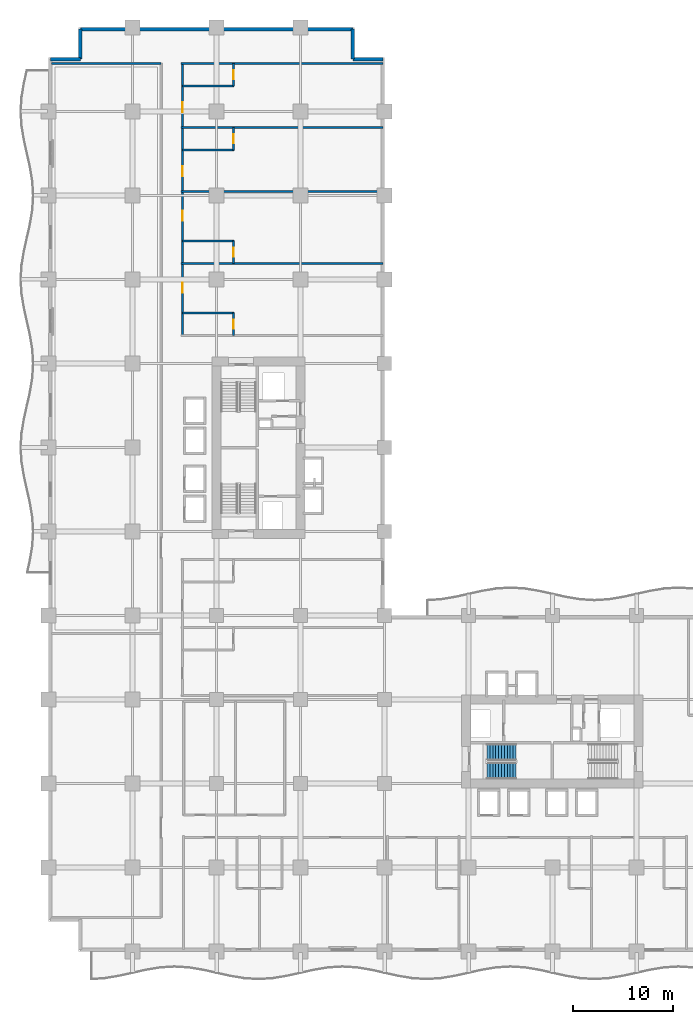
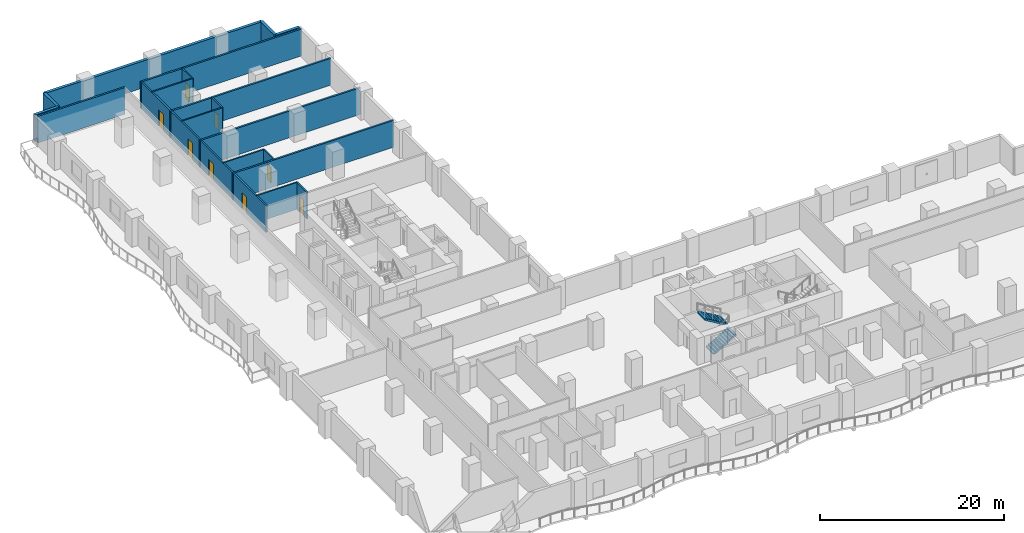
# One storey, part 18 of 27: 19 walls, 8 doors, 2 stair flights, 8 openings, 1 element without a shape of its own.
"""IFC4 building model written with IfcOpenShell, lengths in metres."""

from ifc_helpers import new_model, si_unit, direction, frame, frame_2d, origin, place, context, subcontext, project, spatial, polyline, rectangle, outline, extrude, material, layer, layer_set, type_object, element, fill, aggregate, save


model = new_model("IFC4")

# Units and contexts
model_context = context("Model", 3, precision=1e-05, world=origin(), true_north=direction((0.0, 1.0)))
body_context = subcontext(model_context, "Body", "Model", "MODEL_VIEW")
ifc_project = project(units=[si_unit("LENGTHUNIT", "METRE"), si_unit("AREAUNIT", "SQUARE_METRE"), si_unit("VOLUMEUNIT", "CUBIC_METRE"), si_unit("PLANEANGLEUNIT", "RADIAN"), si_unit("MASSUNIT", "GRAM", prefix="KILO")], contexts=[model_context])

# Site, building, storey
site_placement = place(None, origin())
site = spatial("IfcSite", under=ifc_project, at=site_placement, CompositionType="ELEMENT")
building_placement = place(site_placement, origin())
building = spatial("IfcBuilding", under=site, at=building_placement, Name="Koriwani Terraces Tower", CompositionType="ELEMENT")
storey_placement = place(building_placement, frame((0.0, 0.0, 54.800048828125)))
storey = spatial("IfcBuildingStorey", under=building, at=storey_placement, Name="L12", CompositionType="ELEMENT", Elevation=54.800048828125)

# Wall, openings, doors
ifc_material_1 = material(Name="Autoclaved Cellular Concrete Blockwork", Category="masonry")
ifc_layer_1 = layer(ifc_material_1, 0.199951171875, Name="Autoclaved Cellular Concrete Blockwork")
ifc_layer_set_1 = layer_set([ifc_layer_1], Name="Autoclaved Cellular Concrete Blockwork")
wall_type_1 = type_object("IfcWallType", Name="WALL_CORRIDOR_200", PredefinedType="PARTITIONING", material=ifc_layer_set_1)
wall_1_placement = place(storey_placement, frame((13.39990234375, 61.60009765625, 0.0), z_axis=(0.0, 0.0, 1.0), x_axis=(0.0, 1.0, 0.0)))
wall_1 = element("IfcWall", 1, at=wall_1_placement, inside=storey, type_object=wall_type_1, Name="L12 Interior Wall WCOR-L12-NE-0", PredefinedType="PARTITIONING", context=body_context, shape_type="SweptSolid", body=[
    extrude(rectangle(XDim=27.199951171875, YDim=0.199951171875, at=frame_2d((13.60009765625, 0.0))), origin(), (0.0, 0.0, 1.0), 3.550048828125),
])
opening_1_placement = place(wall_1_placement, frame((4.264892578125, 0.0, 0.0)))
opening_1 = element("IfcOpeningElement", 2, at=opening_1_placement, cuts=wall_1, Name="Opening D-05", PredefinedType="OPENING", context=body_context, shape_type="SweptSolid", body=[
    extrude(rectangle(XDim=1.0, YDim=2.14990234375, at=frame_2d((0.5, 1.074951171875))), frame((0.0, 0.10986328125, 0.0), z_axis=(0.0, -1.0, 0.0), x_axis=(1.0, 0.0, 0.0)), (0.0, 0.0, 1.0), 0.219970703125),
])
opening_2_placement = place(wall_1_placement, frame((11.465087890625, 0.0, 0.0)))
opening_2 = element("IfcOpeningElement", 3, at=opening_2_placement, cuts=wall_1, Name="Opening D-05", PredefinedType="OPENING", context=body_context, shape_type="SweptSolid", body=[
    extrude(rectangle(XDim=1.0, YDim=2.14990234375, at=frame_2d((0.5, 1.074951171875))), frame((0.0, 0.10986328125, 0.0), z_axis=(0.0, -1.0, 0.0), x_axis=(1.0, 0.0, 0.0)), (0.0, 0.0, 1.0), 0.219970703125),
])
opening_3_placement = place(wall_1_placement, frame((15.93505859375, 0.0, 0.0)))
opening_3 = element("IfcOpeningElement", 4, at=opening_3_placement, cuts=wall_1, Name="Opening D-05", PredefinedType="OPENING", context=body_context, shape_type="SweptSolid", body=[
    extrude(rectangle(XDim=1.0, YDim=2.14990234375, at=frame_2d((0.5, 1.074951171875))), frame((0.0, 0.10986328125, 0.0), z_axis=(0.0, -1.0, 0.0), x_axis=(1.0, 0.0, 0.0)), (0.0, 0.0, 1.0), 0.219970703125),
])
opening_4_placement = place(wall_1_placement, frame((22.3349609375, 0.0, 0.0)))
opening_4 = element("IfcOpeningElement", 5, at=opening_4_placement, cuts=wall_1, Name="Opening D-05", PredefinedType="OPENING", context=body_context, shape_type="SweptSolid", body=[
    extrude(rectangle(XDim=1.0, YDim=2.14990234375, at=frame_2d((0.5, 1.074951171875))), frame((0.0, 0.10986328125, 0.0), z_axis=(0.0, -1.0, 0.0), x_axis=(1.0, 0.0, 0.0)), (0.0, 0.0, 1.0), 0.219970703125),
])
ifc_material_2 = material(Name="Architectural Oak Fire Door", Category="wood")
door_type_1 = type_object("IfcDoorType", Name="DOOR_SUITE_ENTRY_1000X2150", OperationType="NOTDEFINED", PredefinedType="DOOR", material=ifc_material_2)
door_1_placement = place(opening_1_placement, origin())
door_1 = element("IfcDoor", 6, at=door_1_placement, inside=storey, type_object=door_type_1, Name="Luxury Hotel Suite 12NE1 Entrance Door", OperationType="SINGLE_SWING_RIGHT", OverallHeight=2.14990234375, OverallWidth=1.0, PredefinedType="DOOR", context=body_context, shape_type="SweptSolid", body=[
    extrude(rectangle(XDim=1.0, YDim=2.14990234375, at=frame_2d((0.5, 1.074951171875))), frame((0.0, 0.02490234375, 0.0), z_axis=(0.0, -1.0, 0.0), x_axis=(1.0, 0.0, 0.0)), (0.0, 0.0, 1.0), 0.050048828125),
])
fill(opening_1, door_1)
door_2_placement = place(opening_2_placement, origin())
door_2 = element("IfcDoor", 7, at=door_2_placement, inside=storey, type_object=door_type_1, Name="Luxury Hotel Suite 12NE2 Entrance Door", OperationType="SINGLE_SWING_RIGHT", OverallHeight=2.14990234375, OverallWidth=1.0, PredefinedType="DOOR", context=body_context, shape_type="SweptSolid", body=[
    extrude(rectangle(XDim=1.0, YDim=2.14990234375, at=frame_2d((0.5, 1.074951171875))), frame((0.0, 0.02490234375, 0.0), z_axis=(0.0, -1.0, 0.0), x_axis=(1.0, 0.0, 0.0)), (0.0, 0.0, 1.0), 0.050048828125),
])
fill(opening_2, door_2)
door_3_placement = place(opening_3_placement, origin())
door_3 = element("IfcDoor", 8, at=door_3_placement, inside=storey, type_object=door_type_1, Name="Luxury Hotel Suite 12NE3 Entrance Door", OperationType="SINGLE_SWING_RIGHT", OverallHeight=2.14990234375, OverallWidth=1.0, PredefinedType="DOOR", context=body_context, shape_type="SweptSolid", body=[
    extrude(rectangle(XDim=1.0, YDim=2.14990234375, at=frame_2d((0.5, 1.074951171875))), frame((0.0, 0.02490234375, 0.0), z_axis=(0.0, -1.0, 0.0), x_axis=(1.0, 0.0, 0.0)), (0.0, 0.0, 1.0), 0.050048828125),
])
fill(opening_3, door_3)
door_4_placement = place(opening_4_placement, origin())
door_4 = element("IfcDoor", 9, at=door_4_placement, inside=storey, type_object=door_type_1, Name="Luxury Hotel Suite 12NE4 Entrance Door", OperationType="SINGLE_SWING_RIGHT", OverallHeight=2.14990234375, OverallWidth=1.0, PredefinedType="DOOR", context=body_context, shape_type="SweptSolid", body=[
    extrude(rectangle(XDim=1.0, YDim=2.14990234375, at=frame_2d((0.5, 1.074951171875))), frame((0.0, 0.02490234375, 0.0), z_axis=(0.0, -1.0, 0.0), x_axis=(1.0, 0.0, 0.0)), (0.0, 0.0, 1.0), 0.050048828125),
])
fill(opening_4, door_4)

# Walls
ifc_layer_2 = layer(ifc_material_1, 0.219970703125, Name="Autoclaved Cellular Concrete Blockwork")
ifc_layer_set_2 = layer_set([ifc_layer_2], Name="Autoclaved Cellular Concrete Blockwork")
wall_type_2 = type_object("IfcWallType", Name="WALL_DEMISING_220", PredefinedType="PARTITIONING", material=ifc_layer_set_2)
wall_2_placement = place(storey_placement, frame((0.300048828125, 88.800048828125, 0.0), z_axis=(0.0, 0.0, 1.0), x_axis=(1.0, 0.0, 0.0)))
element("IfcWall", 10, at=wall_2_placement, inside=storey, type_object=wall_type_2, Name="L12 Interior Wall WZ1NWCLN-L12", PredefinedType="PARTITIONING", context=body_context, shape_type="SweptSolid", body=[
    extrude(rectangle(XDim=10.949951171875, YDim=0.219970703125, at=frame_2d((5.47509765625, 0.0))), origin(), (0.0, 0.0, 1.0), 3.550048828125),
])
for number, where, z_axis, x_axis, name in (
    (11, (13.25, 68.800048828125, 0.0), (0.0, 0.0, 1.0), (1.0, 0.0, 0.0), "L12 Interior Wall WDEM-L12-NE-1"),
    (12, (13.25, 76.0, 0.0), (0.0, 0.0, 1.0), (1.0, 0.0, 0.0), "L12 Interior Wall WDEM-L12-NE-2"),
    (13, (13.25, 82.39990234375, 0.0), (0.0, 0.0, 1.0), (1.0, 0.0, 0.0), "L12 Interior Wall WDEM-L12-NE-3"),
    (14, (13.25, 88.800048828125, 0.0), (0.0, 0.0, 1.0), (1.0, 0.0, 0.0), "L12 Interior Wall WDEME-L12-NE"),
):
    element("IfcWall", number, at=place(storey_placement, frame(where, z_axis=z_axis, x_axis=x_axis)), inside=storey, type_object=wall_type_2, Name=name, PredefinedType="PARTITIONING", context=body_context, shape_type="SweptSolid", body=[
        extrude(rectangle(XDim=20.179931640625, YDim=0.219970703125, at=frame_2d((10.08984375, 0.0))), origin(), (0.0, 0.0, 1.0), 3.550048828125),
    ])
ifc_material_3 = material(Name="Concrete C50/60", Category="concrete")
ifc_layer_3 = layer(ifc_material_3, 0.35009765625, Name="Concrete C50/60")
ifc_layer_set_3 = layer_set([ifc_layer_3], Name="Concrete C50/60")
wall_type_3 = type_object("IfcWallType", Name="WALL_EXT_BRUTALIST_350", PredefinedType="STANDARD", material=ifc_layer_set_3)
for number, where, z_axis, x_axis, name in (
    (15, (0.175048828125, 89.22509765625, 0.0), (0.0, 0.0, 1.0), (1.0, 0.0, 0.0), "L12 Fair-Faced Brutalist Exterior Wall (N3)"),
    (16, (3.175048828125, 89.22509765625, 0.0), (0.0, 0.0, 1.0), (0.0, 1.0, 0.0), "L12 Fair-Faced Brutalist Exterior Wall (N4)"),
):
    element("IfcWall", number, at=place(storey_placement, frame(where, z_axis=z_axis, x_axis=x_axis)), inside=storey, type_object=wall_type_3, Name=name, PredefinedType="STANDARD", context=body_context, shape_type="SweptSolid", body=[
        extrude(rectangle(XDim=3.0, YDim=0.35009765625, at=frame_2d((1.5, 0.0))), origin(), (0.0, 0.0, 1.0), 3.550048828125),
    ])
wall_3_placement = place(storey_placement, frame((3.175048828125, 92.22509765625, 0.0), z_axis=(0.0, 0.0, 1.0), x_axis=(1.0, 0.0, 0.0)))
element("IfcWall", 17, at=wall_3_placement, inside=storey, type_object=wall_type_3, Name="L12 Fair-Faced Brutalist Exterior Wall (N_TIP)", PredefinedType="STANDARD", context=body_context, shape_type="SweptSolid", body=[
    extrude(rectangle(XDim=27.25, YDim=0.35009765625, at=frame_2d((13.625, 0.0))), origin(), (0.0, 0.0, 1.0), 3.550048828125),
])
for number, where, z_axis, x_axis, name in (
    (18, (30.425048828125, 92.22509765625, 0.0), (0.0, 0.0, 1.0), (0.0, -1.0, 0.0), "L12 Fair-Faced Brutalist Exterior Wall (N6)"),
    (19, (30.425048828125, 89.22509765625, 0.0), (0.0, 0.0, 1.0), (1.0, 0.0, 0.0), "L12 Fair-Faced Brutalist Exterior Wall (N7)"),
):
    element("IfcWall", number, at=place(storey_placement, frame(where, z_axis=z_axis, x_axis=x_axis)), inside=storey, type_object=wall_type_3, Name=name, PredefinedType="STANDARD", context=body_context, shape_type="SweptSolid", body=[
        extrude(rectangle(XDim=3.0, YDim=0.35009765625, at=frame_2d((1.5, 0.0))), origin(), (0.0, 0.0, 1.0), 3.550048828125),
    ])

# Wall, opening, door
ifc_material_4 = material(Name="Fire-Rated Acoustic Gypsum Partition", Category="masonry")
ifc_layer_4 = layer(ifc_material_4, 0.179931640625, Name="Fire-Rated Acoustic Gypsum Partition")
ifc_layer_set_4 = layer_set([ifc_layer_4], Name="Fire-Rated Acoustic Gypsum Partition")
wall_type_4 = type_object("IfcWallType", Name="WALL_PLUMBING_180", PredefinedType="PLUMBINGWALL", material=ifc_layer_set_4)
wall_4_placement = place(storey_placement, frame((18.5, 61.60009765625, 0.0), z_axis=(0.0, 0.0, 1.0), x_axis=(0.0, 1.0, 0.0)))
wall_4 = element("IfcWall", 20, at=wall_4_placement, inside=storey, type_object=wall_type_4, Name="L12 Interior Wall WBTH1-L12-NE-0", PredefinedType="PLUMBINGWALL", context=body_context, shape_type="SweptSolid", body=[
    extrude(rectangle(XDim=2.25, YDim=0.179931640625, at=frame_2d((1.125, 0.0))), origin(), (0.0, 0.0, 1.0), 3.550048828125),
])
opening_5_placement = place(wall_4_placement, frame((0.675048828125, 0.0, 0.0)))
opening_5 = element("IfcOpeningElement", 21, at=opening_5_placement, cuts=wall_4, Name="Opening D-07", PredefinedType="OPENING", context=body_context, shape_type="SweptSolid", body=[
    extrude(rectangle(XDim=0.89990234375, YDim=2.10009765625, at=frame_2d((0.449951171875, 1.050048828125))), frame((0.0, 0.10009765625, 0.0), z_axis=(0.0, -1.0, 0.0), x_axis=(1.0, 0.0, 0.0)), (0.0, 0.0, 1.0), 0.199951171875),
])
door_type_2 = type_object("IfcDoorType", Name="DOOR_BATH_INT_900X2100", OperationType="NOTDEFINED", PredefinedType="DOOR", material=ifc_material_2)
door_5_placement = place(opening_5_placement, origin())
door_5 = element("IfcDoor", 22, at=door_5_placement, inside=storey, type_object=door_type_2, Name="En-Suite Bathroom 12NE1 Door", OperationType="SINGLE_SWING_LEFT", OverallHeight=2.10009765625, OverallWidth=0.89990234375, PredefinedType="DOOR", context=body_context, shape_type="SweptSolid", body=[
    extrude(rectangle(XDim=0.89990234375, YDim=2.10009765625, at=frame_2d((0.449951171875, 1.050048828125))), frame((0.0, 0.02490234375, 0.0), z_axis=(0.0, -1.0, 0.0), x_axis=(1.0, 0.0, 0.0)), (0.0, 0.0, 1.0), 0.050048828125),
])
fill(opening_5, door_5)

# Wall
wall_5_placement = place(storey_placement, frame((13.39990234375, 63.85009765625, 0.0), z_axis=(0.0, 0.0, 1.0), x_axis=(1.0, 0.0, 0.0)))
element("IfcWall", 23, at=wall_5_placement, inside=storey, type_object=wall_type_4, Name="L12 Interior Wall WBTH2-L12-NE-0", PredefinedType="PLUMBINGWALL", context=body_context, shape_type="SweptSolid", body=[
    extrude(rectangle(XDim=5.10009765625, YDim=0.179931640625, at=frame_2d((2.550048828125, 0.0))), origin(), (0.0, 0.0, 1.0), 3.550048828125),
])

# Wall, opening, door
wall_6_placement = place(storey_placement, frame((18.5, 68.800048828125, 0.0), z_axis=(0.0, 0.0, 1.0), x_axis=(0.0, 1.0, 0.0)))
wall_6 = element("IfcWall", 24, at=wall_6_placement, inside=storey, type_object=wall_type_4, Name="L12 Interior Wall WBTH1-L12-NE-1", PredefinedType="PLUMBINGWALL", context=body_context, shape_type="SweptSolid", body=[
    extrude(rectangle(XDim=2.25, YDim=0.179931640625, at=frame_2d((1.125, 0.0))), origin(), (0.0, 0.0, 1.0), 3.550048828125),
])
opening_6_placement = place(wall_6_placement, frame((0.675048828125, 0.0, 0.0)))
opening_6 = element("IfcOpeningElement", 25, at=opening_6_placement, cuts=wall_6, Name="Opening D-07", PredefinedType="OPENING", context=body_context, shape_type="SweptSolid", body=[
    extrude(rectangle(XDim=0.89990234375, YDim=2.10009765625, at=frame_2d((0.449951171875, 1.050048828125))), frame((0.0, 0.10009765625, 0.0), z_axis=(0.0, -1.0, 0.0), x_axis=(1.0, 0.0, 0.0)), (0.0, 0.0, 1.0), 0.199951171875),
])
door_6_placement = place(opening_6_placement, origin())
door_6 = element("IfcDoor", 26, at=door_6_placement, inside=storey, type_object=door_type_2, Name="En-Suite Bathroom 12NE2 Door", OperationType="SINGLE_SWING_LEFT", OverallHeight=2.10009765625, OverallWidth=0.89990234375, PredefinedType="DOOR", context=body_context, shape_type="SweptSolid", body=[
    extrude(rectangle(XDim=0.89990234375, YDim=2.10009765625, at=frame_2d((0.449951171875, 1.050048828125))), frame((0.0, 0.02490234375, 0.0), z_axis=(0.0, -1.0, 0.0), x_axis=(1.0, 0.0, 0.0)), (0.0, 0.0, 1.0), 0.050048828125),
])
fill(opening_6, door_6)

# Wall
wall_7_placement = place(storey_placement, frame((13.39990234375, 71.050048828125, 0.0), z_axis=(0.0, 0.0, 1.0), x_axis=(1.0, 0.0, 0.0)))
element("IfcWall", 27, at=wall_7_placement, inside=storey, type_object=wall_type_4, Name="L12 Interior Wall WBTH2-L12-NE-1", PredefinedType="PLUMBINGWALL", context=body_context, shape_type="SweptSolid", body=[
    extrude(rectangle(XDim=5.10009765625, YDim=0.179931640625, at=frame_2d((2.550048828125, 0.0))), origin(), (0.0, 0.0, 1.0), 3.550048828125),
])

# Wall, opening, door
wall_8_placement = place(storey_placement, frame((18.5, 80.14990234375, 0.0), z_axis=(0.0, 0.0, 1.0), x_axis=(0.0, 1.0, 0.0)))
wall_8 = element("IfcWall", 28, at=wall_8_placement, inside=storey, type_object=wall_type_4, Name="L12 Interior Wall WBTH1-L12-NE-2", PredefinedType="PLUMBINGWALL", context=body_context, shape_type="SweptSolid", body=[
    extrude(rectangle(XDim=2.25, YDim=0.179931640625, at=frame_2d((1.125, 0.0))), origin(), (0.0, 0.0, 1.0), 3.550048828125),
])
opening_7_placement = place(wall_8_placement, frame((0.675048828125, 0.0, 0.0)))
opening_7 = element("IfcOpeningElement", 29, at=opening_7_placement, cuts=wall_8, Name="Opening D-07", PredefinedType="OPENING", context=body_context, shape_type="SweptSolid", body=[
    extrude(rectangle(XDim=0.89990234375, YDim=2.10009765625, at=frame_2d((0.449951171875, 1.050048828125))), frame((0.0, 0.10009765625, 0.0), z_axis=(0.0, -1.0, 0.0), x_axis=(1.0, 0.0, 0.0)), (0.0, 0.0, 1.0), 0.199951171875),
])
door_7_placement = place(opening_7_placement, origin())
door_7 = element("IfcDoor", 30, at=door_7_placement, inside=storey, type_object=door_type_2, Name="En-Suite Bathroom 12NE3 Door", OperationType="SINGLE_SWING_LEFT", OverallHeight=2.10009765625, OverallWidth=0.89990234375, PredefinedType="DOOR", context=body_context, shape_type="SweptSolid", body=[
    extrude(rectangle(XDim=0.89990234375, YDim=2.10009765625, at=frame_2d((0.449951171875, 1.050048828125))), frame((0.0, 0.02490234375, 0.0), z_axis=(0.0, -1.0, 0.0), x_axis=(1.0, 0.0, 0.0)), (0.0, 0.0, 1.0), 0.050048828125),
])
fill(opening_7, door_7)

# Wall
wall_9_placement = place(storey_placement, frame((13.39990234375, 80.14990234375, 0.0), z_axis=(0.0, 0.0, 1.0), x_axis=(1.0, 0.0, 0.0)))
element("IfcWall", 31, at=wall_9_placement, inside=storey, type_object=wall_type_4, Name="L12 Interior Wall WBTH2-L12-NE-2", PredefinedType="PLUMBINGWALL", context=body_context, shape_type="SweptSolid", body=[
    extrude(rectangle(XDim=5.10009765625, YDim=0.179931640625, at=frame_2d((2.550048828125, 0.0))), origin(), (0.0, 0.0, 1.0), 3.550048828125),
])

# Wall, opening, door
wall_10_placement = place(storey_placement, frame((18.5, 86.550048828125, 0.0), z_axis=(0.0, 0.0, 1.0), x_axis=(0.0, 1.0, 0.0)))
wall_10 = element("IfcWall", 32, at=wall_10_placement, inside=storey, type_object=wall_type_4, Name="L12 Interior Wall WBTH1-L12-NE-3", PredefinedType="PLUMBINGWALL", context=body_context, shape_type="SweptSolid", body=[
    extrude(rectangle(XDim=2.25, YDim=0.179931640625, at=frame_2d((1.125, 0.0))), origin(), (0.0, 0.0, 1.0), 3.550048828125),
])
opening_8_placement = place(wall_10_placement, frame((0.675048828125, 0.0, 0.0)))
opening_8 = element("IfcOpeningElement", 33, at=opening_8_placement, cuts=wall_10, Name="Opening D-07", PredefinedType="OPENING", context=body_context, shape_type="SweptSolid", body=[
    extrude(rectangle(XDim=0.89990234375, YDim=2.10009765625, at=frame_2d((0.449951171875, 1.050048828125))), frame((0.0, 0.10009765625, 0.0), z_axis=(0.0, -1.0, 0.0), x_axis=(1.0, 0.0, 0.0)), (0.0, 0.0, 1.0), 0.199951171875),
])
door_8_placement = place(opening_8_placement, origin())
door_8 = element("IfcDoor", 34, at=door_8_placement, inside=storey, type_object=door_type_2, Name="En-Suite Bathroom 12NE4 Door", OperationType="SINGLE_SWING_LEFT", OverallHeight=2.10009765625, OverallWidth=0.89990234375, PredefinedType="DOOR", context=body_context, shape_type="SweptSolid", body=[
    extrude(rectangle(XDim=0.89990234375, YDim=2.10009765625, at=frame_2d((0.449951171875, 1.050048828125))), frame((0.0, 0.02490234375, 0.0), z_axis=(0.0, -1.0, 0.0), x_axis=(1.0, 0.0, 0.0)), (0.0, 0.0, 1.0), 0.050048828125),
])
fill(opening_8, door_8)

# Wall
wall_11_placement = place(storey_placement, frame((13.39990234375, 86.550048828125, 0.0), z_axis=(0.0, 0.0, 1.0), x_axis=(1.0, 0.0, 0.0)))
element("IfcWall", 35, at=wall_11_placement, inside=storey, type_object=wall_type_4, Name="L12 Interior Wall WBTH2-L12-NE-3", PredefinedType="PLUMBINGWALL", context=body_context, shape_type="SweptSolid", body=[
    extrude(rectangle(XDim=5.10009765625, YDim=0.179931640625, at=frame_2d((2.550048828125, 0.0))), origin(), (0.0, 0.0, 1.0), 3.550048828125),
])

# Stair, stair flights
ifc_material_5 = material(Name="Concrete C40/50", Category="concrete")
stair_type = type_object("IfcStairType", Name="STAIR_CORE_DOGLEG_1650", PredefinedType="TWO_STRAIGHT_RUN_STAIR", material=ifc_material_5)
stair_placement = place(storey_placement, origin())
stair = element("IfcStair", 36, at=stair_placement, inside=storey, type_object=stair_type, Name="L12 East Core Exit Stair 1", PredefinedType="HALF_TURN_STAIR")
stair_flight_type = type_object("IfcStairFlightType", Name="STAIR_FLIGHT_RC_1650", PredefinedType="STRAIGHT", material=ifc_material_5)
stair_flight_1_placement = place(storey_placement, frame((43.85009765625, 18.074951171875, 0.0), z_axis=(0.0, 0.0, 1.0), x_axis=(1.0, 0.0, 0.0)))
stair_flight_1 = element("IfcStairFlight", 37, at=stair_flight_1_placement, type_object=stair_flight_type, Name="ST-E1 flight 1", NumberOfRisers=11, NumberOfTreads=10, PredefinedType="STRAIGHT", RiserHeight=0.172727273, TreadLength=0.29, context=body_context, shape_type="SweptSolid", body=[
    extrude(outline(polyline([(0.0, 0.0), (0.0, 0.172607421875), (0.2900390625, 0.172607421875), (0.2900390625, 0.345458984375), (0.580078125, 0.345458984375), (0.580078125, 0.51806640625), (0.8701171875, 0.51806640625), (0.8701171875, 0.69091796875), (1.159912109375, 0.69091796875), (1.159912109375, 0.863525390625), (1.449951171875, 0.863525390625), (1.449951171875, 1.036376953125), (1.739990234375, 1.036376953125), (1.739990234375, 1.208984375), (2.030029296875, 1.208984375), (2.030029296875, 1.3818359375), (2.320068359375, 1.3818359375), (2.320068359375, 1.554443359375), (2.610107421875, 1.554443359375), (2.610107421875, 1.727294921875), (2.89990234375, 1.727294921875), (2.89990234375, 1.89990234375), (2.89990234375, 1.517822265625), (0.3515625, 0.0), (0.0, 0.0)])), frame((0.0, 0.824951171875, 0.0), z_axis=(0.0, -1.0, 0.0), x_axis=(1.0, 0.0, 0.0)), (0.0, 0.0, 1.0), 1.64990234375),
])
stair_flight_2_placement = place(storey_placement, frame((46.75, 19.925048828125, 1.89990234375), z_axis=(0.0, 0.0, 1.0), x_axis=(-1.0, 0.0, 0.0)))
stair_flight_2 = element("IfcStairFlight", 38, at=stair_flight_2_placement, type_object=stair_flight_type, Name="ST-E1 flight 2", NumberOfRisers=11, NumberOfTreads=10, PredefinedType="STRAIGHT", RiserHeight=0.172727273, TreadLength=0.29, context=body_context, shape_type="SweptSolid", body=[
    extrude(outline(polyline([(0.0, 0.0), (0.0, 0.172607421875), (0.2900390625, 0.172607421875), (0.2900390625, 0.345458984375), (0.580078125, 0.345458984375), (0.580078125, 0.51806640625), (0.8701171875, 0.51806640625), (0.8701171875, 0.69091796875), (1.159912109375, 0.69091796875), (1.159912109375, 0.863525390625), (1.449951171875, 0.863525390625), (1.449951171875, 1.036376953125), (1.739990234375, 1.036376953125), (1.739990234375, 1.208984375), (2.030029296875, 1.208984375), (2.030029296875, 1.3818359375), (2.320068359375, 1.3818359375), (2.320068359375, 1.554443359375), (2.610107421875, 1.554443359375), (2.610107421875, 1.727294921875), (2.89990234375, 1.727294921875), (2.89990234375, 1.89990234375), (2.89990234375, 1.517822265625), (0.3515625, 0.0), (0.0, 0.0)])), frame((0.0, 0.824951171875, 0.0), z_axis=(0.0, -1.0, 0.0), x_axis=(1.0, 0.0, 0.0)), (0.0, 0.0, 1.0), 1.64990234375),
])
aggregate(stair, [stair_flight_1, stair_flight_2])

save(model, "model.ifc")
